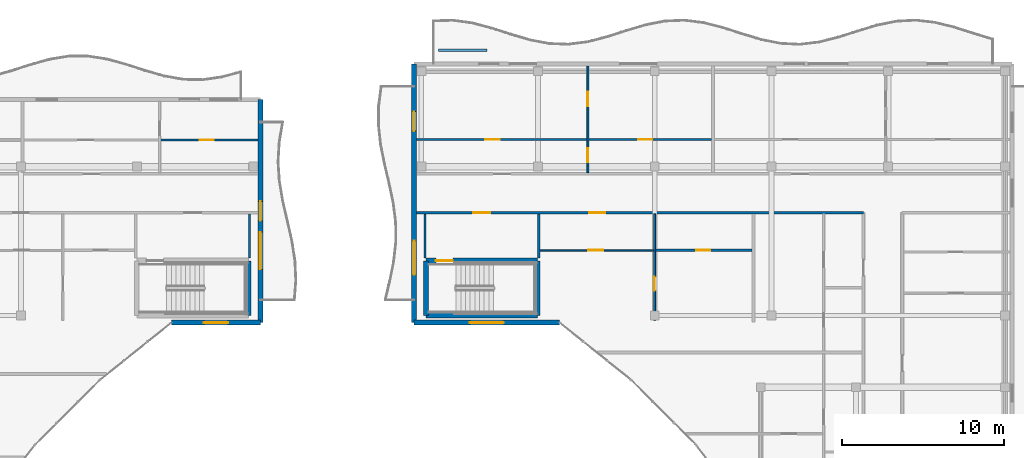
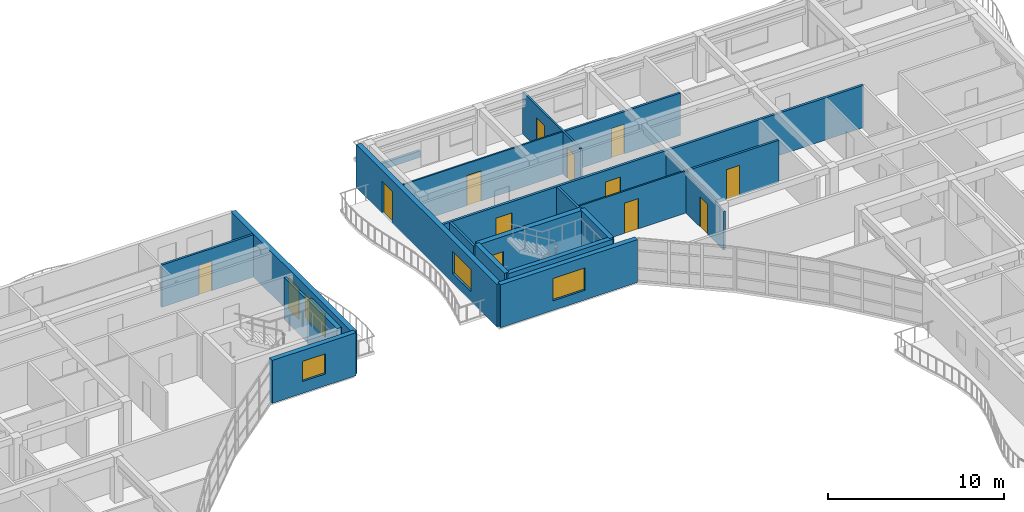
# One storey, part 32 of 49: 21 walls, 13 doors, 4 windows, 17 openings.
"""IFC4 building model written with IfcOpenShell, lengths in metres."""

from ifc_helpers import new_model, si_unit, direction, frame, frame_2d, origin, place, context, subcontext, project, spatial, rectangle, extrude, material, layer, layer_set, type_object, element, fill, save


model = new_model("IFC4")

# Units and contexts
model_context = context("Model", 3, precision=1e-05, world=origin(), true_north=direction((0.0, 1.0)))
body_context = subcontext(model_context, "Body", "Model", "MODEL_VIEW")
ifc_project = project(units=[si_unit("LENGTHUNIT", "METRE"), si_unit("AREAUNIT", "SQUARE_METRE"), si_unit("VOLUMEUNIT", "CUBIC_METRE"), si_unit("PLANEANGLEUNIT", "RADIAN"), si_unit("MASSUNIT", "GRAM", prefix="KILO")], contexts=[model_context])

# Site, building, storey
site_placement = place(None, origin())
site = spatial("IfcSite", under=ifc_project, at=site_placement, CompositionType="ELEMENT")
building_placement = place(site_placement, origin())
building = spatial("IfcBuilding", under=site, at=building_placement, Name="Keldmere Railside Commons", CompositionType="ELEMENT")
storey_placement = place(building_placement, frame((0.0, 0.0, 29.760009765625)))
storey = spatial("IfcBuildingStorey", under=building, at=storey_placement, Name="L09", CompositionType="ELEMENT", Elevation=29.760009765625)

# Wall, openings, doors
ifc_material_1 = material(Name="Acoustic Gypsum Board Partition", Category="gypsum")
ifc_layer_1 = layer(ifc_material_1, 0.1201171875, Name="Apartment Interior Partition 120")
ifc_layer_set_1 = layer_set([ifc_layer_1], Name="Acoustic Gypsum Board Partition")
wall_type_1 = type_object("IfcWallType", Name="Apartment Interior Partition 120", PredefinedType="PARTITIONING", material=ifc_layer_set_1)
wall_1_placement = place(storey_placement, frame((157.75, 109.280029296875, 0.0), z_axis=(0.0, 0.0, 1.0), x_axis=(0.0, 1.0, 0.0)))
wall_1 = element("IfcWall", 1, at=wall_1_placement, inside=storey, type_object=wall_type_1, Name="IW-4 IW-L09-1790", PredefinedType="PARTITIONING", context=body_context, shape_type="SweptSolid", body=[
    extrude(rectangle(XDim=6.590087890625, YDim=0.1201171875, at=frame_2d((3.294921875, 0.0))), origin(), (0.0, 0.0, 1.0), 2.93505859375),
])
opening_1_placement = place(wall_1_placement, frame((0.656005859375, 0.0, 0.0)))
opening_1 = element("IfcOpeningElement", 2, at=opening_1_placement, cuts=wall_1, Name="Opening ID-04", PredefinedType="OPENING", context=body_context, shape_type="SweptSolid", body=[
    extrude(rectangle(XDim=0.860107421875, YDim=2.10009765625, at=frame_2d((0.43017578125, 1.050048828125))), frame((0.0, 0.070068359375, 0.0), z_axis=(0.0, -1.0, 0.0), x_axis=(1.0, 0.0, 0.0)), (0.0, 0.0, 1.0), 0.14013671875),
])
opening_2_placement = place(wall_1_placement, frame((4.093017578125, 0.0, 0.0)))
opening_2 = element("IfcOpeningElement", 3, at=opening_2_placement, cuts=wall_1, Name="Opening ID-01", PredefinedType="OPENING", context=body_context, shape_type="SweptSolid", body=[
    extrude(rectangle(XDim=0.89990234375, YDim=2.10009765625, at=frame_2d((0.449951171875, 1.050048828125))), frame((0.0, 0.070068359375, 0.0), z_axis=(0.0, -1.0, 0.0), x_axis=(1.0, 0.0, 0.0)), (0.0, 0.0, 1.0), 0.14013671875),
])
ifc_material_2 = material(Name="Engineered Oak Timber", Category="wood")
door_type_1 = type_object("IfcDoorType", Name="Apartment Bathroom Door 860x2100", OperationType="NOTDEFINED", PredefinedType="DOOR", material=ifc_material_2)
door_1_placement = place(opening_1_placement, origin())
door_1 = element("IfcDoor", 4, at=door_1_placement, inside=storey, type_object=door_type_1, Name="ID-04 IDR-L09-1634", OperationType="SINGLE_SWING_RIGHT", OverallHeight=2.10009765625, OverallWidth=0.860107421875, PredefinedType="DOOR", context=body_context, shape_type="SweptSolid", body=[
    extrude(rectangle(XDim=0.860107421875, YDim=2.10009765625, at=frame_2d((0.43017578125, 1.050048828125))), frame((0.0, 0.02490234375, 0.0), z_axis=(0.0, -1.0, 0.0), x_axis=(1.0, 0.0, 0.0)), (0.0, 0.0, 1.0), 0.050048828125),
])
fill(opening_1, door_1)
door_type_2 = type_object("IfcDoorType", Name="Primary Bedroom Door 900x2100", OperationType="NOTDEFINED", PredefinedType="DOOR", material=ifc_material_2)
door_2_placement = place(opening_2_placement, origin())
door_2 = element("IfcDoor", 5, at=door_2_placement, inside=storey, type_object=door_type_2, Name="ID-01 IDR-L09-1635", OperationType="SINGLE_SWING_LEFT", OverallHeight=2.10009765625, OverallWidth=0.89990234375, PredefinedType="DOOR", context=body_context, shape_type="SweptSolid", body=[
    extrude(rectangle(XDim=0.89990234375, YDim=2.10009765625, at=frame_2d((0.449951171875, 1.050048828125))), frame((0.0, 0.02490234375, 0.0), z_axis=(0.0, -1.0, 0.0), x_axis=(1.0, 0.0, 0.0)), (0.0, 0.0, 1.0), 0.050048828125),
])
fill(opening_2, door_2)

# Wall, opening, door
wall_2_placement = place(storey_placement, frame((161.8798828125, 100.159912109375, 0.0), z_axis=(0.0, 0.0, 1.0), x_axis=(0.0, 1.0, 0.0)))
wall_2 = element("IfcWall", 6, at=wall_2_placement, inside=storey, type_object=wall_type_1, Name="IW-4 IW-L09-1796", PredefinedType="PARTITIONING", context=body_context, shape_type="SweptSolid", body=[
    extrude(rectangle(XDim=6.56005859375, YDim=0.1201171875, at=frame_2d((3.280029296875, 0.0))), origin(), (0.0, 0.0, 1.0), 2.679931640625),
])
opening_3_placement = place(wall_2_placement, frame((1.810302734375, 0.0, 0.0)))
opening_3 = element("IfcOpeningElement", 7, at=opening_3_placement, cuts=wall_2, Name="Opening ID-02", PredefinedType="OPENING", context=body_context, shape_type="SweptSolid", body=[
    extrude(rectangle(XDim=0.8798828125, YDim=2.10009765625, at=frame_2d((0.43994140625, 1.050048828125))), frame((0.0, 0.070068359375, 0.0), z_axis=(0.0, -1.0, 0.0), x_axis=(1.0, 0.0, 0.0)), (0.0, 0.0, 1.0), 0.14013671875),
])
door_type_3 = type_object("IfcDoorType", Name="Secondary Bedroom Door 880x2100", OperationType="NOTDEFINED", PredefinedType="DOOR", material=ifc_material_2)
door_3_placement = place(opening_3_placement, origin())
door_3 = element("IfcDoor", 8, at=door_3_placement, inside=storey, type_object=door_type_3, Name="ID-02 IDR-L09-1644", OperationType="SINGLE_SWING_RIGHT", OverallHeight=2.10009765625, OverallWidth=0.8798828125, PredefinedType="DOOR", context=body_context, shape_type="SweptSolid", body=[
    extrude(rectangle(XDim=0.8798828125, YDim=2.10009765625, at=frame_2d((0.43994140625, 1.050048828125))), frame((0.0, 0.02490234375, 0.0), z_axis=(0.0, -1.0, 0.0), x_axis=(1.0, 0.0, 0.0)), (0.0, 0.0, 1.0), 0.050048828125),
])
fill(opening_3, door_3)

# Wall
ifc_material_3 = material(Name="White Precast Concrete H-35 (C35/45)", Category="concrete")
ifc_layer_2 = layer(ifc_material_3, 0.169921875, Name="Balcony Planter Kerb Wall 170")
ifc_layer_set_2 = layer_set([ifc_layer_2], Name="White Precast Concrete H-35 (C35/45)")
wall_type_2 = type_object("IfcWallType", Name="Balcony Planter Kerb Wall 170", PredefinedType="PARAPET", material=ifc_layer_set_2)
wall_3_placement = place(storey_placement, frame((148.5, 116.85009765625, 0.0), z_axis=(0.0, 0.0, 1.0), x_axis=(1.0, 0.0, 0.0)))
element("IfcWall", 9, at=wall_3_placement, inside=storey, type_object=wall_type_2, Name="PW-2 PKBA-L09-0944", PredefinedType="PARAPET", context=body_context, shape_type="SweptSolid", body=[
    extrude(rectangle(XDim=3.0, YDim=0.169921875, at=frame_2d((1.5, 0.0))), origin(), (0.0, 0.0, 1.0), 0.449951171875),
])

# Wall, opening, door
ifc_layer_3 = layer(ifc_material_1, 0.10009765625, Name="Closet Light Partition 100")
ifc_layer_set_3 = layer_set([ifc_layer_3], Name="Acoustic Gypsum Board Partition")
wall_type_3 = type_object("IfcWallType", Name="Closet Light Partition 100", PredefinedType="PARTITIONING", material=ifc_layer_set_3)
wall_4_placement = place(storey_placement, frame((147.159912109375, 111.330078125, 0.0), z_axis=(0.0, 0.0, 1.0), x_axis=(1.0, 0.0, 0.0)))
wall_4 = element("IfcWall", 10, at=wall_4_placement, inside=storey, type_object=wall_type_3, Name="IW-6 IW-L09-1792", PredefinedType="PARTITIONING", context=body_context, shape_type="SweptSolid", body=[
    extrude(rectangle(XDim=10.530029296875, YDim=0.10009765625, at=frame_2d((5.26513671875, 0.0))), origin(), (0.0, 0.0, 1.0), 2.93505859375),
])
opening_4_placement = place(wall_4_placement, frame((4.236083984375, 0.0, 0.0)))
opening_4 = element("IfcOpeningElement", 11, at=opening_4_placement, cuts=wall_4, Name="Opening ID-03", PredefinedType="OPENING", context=body_context, shape_type="SweptSolid", body=[
    extrude(rectangle(XDim=0.919921875, YDim=2.10009765625, at=frame_2d((0.4599609375, 1.050048828125))), frame((0.0, 0.06005859375, 0.0), z_axis=(0.0, -1.0, 0.0), x_axis=(1.0, 0.0, 0.0)), (0.0, 0.0, 1.0), 0.1201171875),
])
door_type_4 = type_object("IfcDoorType", Name="Kitchen Pocket-Frame Swing Door 920x2100", OperationType="NOTDEFINED", PredefinedType="DOOR", material=ifc_material_2)
door_4_placement = place(opening_4_placement, origin())
door_4 = element("IfcDoor", 12, at=door_4_placement, inside=storey, type_object=door_type_4, Name="ID-03 IDR-L09-1633", OperationType="SINGLE_SWING_LEFT", OverallHeight=2.10009765625, OverallWidth=0.919921875, PredefinedType="DOOR", context=body_context, shape_type="SweptSolid", body=[
    extrude(rectangle(XDim=0.919921875, YDim=2.10009765625, at=frame_2d((0.4599609375, 1.050048828125))), frame((0.0, 0.02490234375, 0.0), z_axis=(0.0, -1.0, 0.0), x_axis=(1.0, 0.0, 0.0)), (0.0, 0.0, 1.0), 0.050048828125),
])
fill(opening_4, door_4)

wall_5_placement = place(storey_placement, frame((154.800048828125, 104.469970703125, 0.0), z_axis=(0.0, 0.0, 1.0), x_axis=(1.0, 0.0, 0.0)))
wall_5 = element("IfcWall", 13, at=wall_5_placement, inside=storey, type_object=wall_type_3, Name="IW-6 IW-L09-1798", PredefinedType="PARTITIONING", context=body_context, shape_type="SweptSolid", body=[
    extrude(rectangle(XDim=7.02001953125, YDim=0.10009765625, at=frame_2d((3.510009765625, 0.0))), origin(), (0.0, 0.0, 1.0), 2.93505859375),
])
opening_5_placement = place(wall_5_placement, frame((2.9736328125, 0.0, 0.0)))
opening_5 = element("IfcOpeningElement", 14, at=opening_5_placement, cuts=wall_5, Name="Opening ID-03", PredefinedType="OPENING", context=body_context, shape_type="SweptSolid", body=[
    extrude(rectangle(XDim=0.919921875, YDim=2.10009765625, at=frame_2d((0.4599609375, 1.050048828125))), frame((0.0, 0.06005859375, 0.0), z_axis=(0.0, -1.0, 0.0), x_axis=(1.0, 0.0, 0.0)), (0.0, 0.0, 1.0), 0.1201171875),
])
door_5_placement = place(opening_5_placement, origin())
door_5 = element("IfcDoor", 15, at=door_5_placement, inside=storey, type_object=door_type_4, Name="ID-03 IDR-L09-1643", OperationType="SINGLE_SWING_LEFT", OverallHeight=2.10009765625, OverallWidth=0.919921875, PredefinedType="DOOR", context=body_context, shape_type="SweptSolid", body=[
    extrude(rectangle(XDim=0.919921875, YDim=2.10009765625, at=frame_2d((0.4599609375, 1.050048828125))), frame((0.0, 0.02490234375, 0.0), z_axis=(0.0, -1.0, 0.0), x_axis=(1.0, 0.0, 0.0)), (0.0, 0.0, 1.0), 0.050048828125),
])
fill(opening_5, door_5)

# Wall, openings, doors
ifc_layer_4 = layer(ifc_material_1, 0.159912109375, Name="Corridor Fire Partition 160")
ifc_layer_set_4 = layer_set([ifc_layer_4], Name="Acoustic Gypsum Board Partition")
wall_type_4 = type_object("IfcWallType", Name="Corridor Fire Partition 160", PredefinedType="PARTITIONING", material=ifc_layer_set_4)
wall_6_placement = place(storey_placement, frame((147.159912109375, 106.800048828125, 0.0), z_axis=(0.0, 0.0, 1.0), x_axis=(1.0, 0.0, 0.0)))
wall_6 = element("IfcWall", 16, at=wall_6_placement, inside=storey, type_object=wall_type_4, Name="IW-2 IW-L09-1771", PredefinedType="PARTITIONING", context=body_context, shape_type="SweptSolid", body=[
    extrude(rectangle(XDim=27.64013671875, YDim=0.159912109375, at=frame_2d((13.820068359375, 0.0))), origin(), (0.0, 0.0, 1.0), 2.93505859375),
])
opening_6_placement = place(wall_6_placement, frame((3.514892578125, 0.0, 0.0)))
opening_6 = element("IfcOpeningElement", 17, at=opening_6_placement, cuts=wall_6, Name="Opening FD-1", PredefinedType="OPENING", context=body_context, shape_type="SweptSolid", body=[
    extrude(rectangle(XDim=1.050048828125, YDim=2.14990234375, at=frame_2d((0.52490234375, 1.074951171875))), frame((0.0, 0.08984375, 0.0), z_axis=(0.0, -1.0, 0.0), x_axis=(1.0, 0.0, 0.0)), (0.0, 0.0, 1.0), 0.179931640625),
])
opening_7_placement = place(wall_6_placement, frame((10.68994140625, 0.0, 0.0)))
opening_7 = element("IfcOpeningElement", 18, at=opening_7_placement, cuts=wall_6, Name="Opening FD-7", PredefinedType="OPENING", context=body_context, shape_type="SweptSolid", body=[
    extrude(rectangle(XDim=0.97998046875, YDim=2.14990234375, at=frame_2d((0.489990234375, 1.074951171875))), frame((0.0, 0.08984375, 0.0), z_axis=(0.0, -1.0, 0.0), x_axis=(1.0, 0.0, 0.0)), (0.0, 0.0, 1.0), 0.179931640625),
])
door_type_5 = type_object("IfcDoorType", Name="Apartment Entrance Acoustic Fire Door 980x2150", OperationType="NOTDEFINED", PredefinedType="DOOR", material=ifc_material_2)
door_6_placement = place(opening_7_placement, origin())
door_6 = element("IfcDoor", 19, at=door_6_placement, inside=storey, type_object=door_type_5, Name="FD-7 IDR-L09-1642", OperationType="SINGLE_SWING_RIGHT", OverallHeight=2.14990234375, OverallWidth=0.97998046875, PredefinedType="DOOR", context=body_context, shape_type="SweptSolid", body=[
    extrude(rectangle(XDim=0.97998046875, YDim=2.14990234375, at=frame_2d((0.489990234375, 1.074951171875))), frame((0.0, 0.02490234375, 0.0), z_axis=(0.0, -1.0, 0.0), x_axis=(1.0, 0.0, 0.0)), (0.0, 0.0, 1.0), 0.050048828125),
])
fill(opening_7, door_6)
ifc_material_4 = material(Name="Steel F-24 (S235)", Category="steel")
door_type_6 = type_object("IfcDoorType", Name="Stair Core Fire Door 1050x2150", OperationType="NOTDEFINED", PredefinedType="DOOR", material=ifc_material_4)
door_7_placement = place(opening_6_placement, origin())
door_7 = element("IfcDoor", 20, at=door_7_placement, inside=storey, type_object=door_type_6, Name="FD-1 IDR-L09-1616", OperationType="SINGLE_SWING_RIGHT", OverallHeight=2.14990234375, OverallWidth=1.050048828125, PredefinedType="DOOR", context=body_context, shape_type="SweptSolid", body=[
    extrude(rectangle(XDim=1.050048828125, YDim=2.14990234375, at=frame_2d((0.52490234375, 1.074951171875))), frame((0.0, 0.02490234375, 0.0), z_axis=(0.0, -1.0, 0.0), x_axis=(1.0, 0.0, 0.0)), (0.0, 0.0, 1.0), 0.050048828125),
])
fill(opening_6, door_7)

# Wall, opening, window
ifc_material_5 = material(Name="Concrete H-35 (C35/45)", Category="concrete")
ifc_layer_5 = layer(ifc_material_5, 0.320068359375, Name="Exterior Shear Wall 320")
ifc_layer_set_5 = layer_set([ifc_layer_5], Name="Concrete H-35 (C35/45)")
wall_type_5 = type_object("IfcWallType", Name="Exterior Shear Wall 320", PredefinedType="SHEAR", material=ifc_layer_set_5)
wall_7_placement = place(storey_placement, frame((137.5, 100.0, 0.0), z_axis=(0.0, 0.0, 1.0), x_axis=(-1.0, 0.0, 0.0)))
wall_7 = element("IfcWall", 21, at=wall_7_placement, inside=storey, type_object=wall_type_5, Name="ESW-2 EXTB-L09-0657", PredefinedType="SHEAR", context=body_context, shape_type="SweptSolid", body=[
    extrude(rectangle(XDim=5.5, YDim=0.320068359375, at=frame_2d((2.75, 0.0))), origin(), (0.0, 0.0, 1.0), 2.97998046875),
])
opening_8_placement = place(wall_7_placement, frame((2.0, 0.0, 0.820068359375)))
opening_8 = element("IfcOpeningElement", 22, at=opening_8_placement, cuts=wall_7, Name="Opening WN-06", PredefinedType="OPENING", context=body_context, shape_type="SweptSolid", body=[
    extrude(rectangle(XDim=1.5, YDim=1.39990234375, at=frame_2d((0.75, 0.699951171875))), frame((0.0, 0.169921875, 0.0), z_axis=(0.0, -1.0, 0.0), x_axis=(1.0, 0.0, 0.0)), (0.0, 0.0, 1.0), 0.340087890625),
])
ifc_material_6 = material(Name="Low-E Insulated Double Glazing", Category="glass")
window_type_1 = type_object("IfcWindowType", Name="Primary Bedroom North Window 1500x1400", PartitioningType="SINGLE_PANEL", PredefinedType="WINDOW", material=ifc_material_6)
window_1_placement = place(opening_8_placement, origin())
window_1 = element("IfcWindow", 23, at=window_1_placement, inside=storey, type_object=window_type_1, Name="WN-06 WIN-L09-0513", OverallHeight=1.39990234375, OverallWidth=1.5, PartitioningType="SINGLE_PANEL", PredefinedType="WINDOW", context=body_context, shape_type="SweptSolid", body=[
    extrude(rectangle(XDim=1.5, YDim=1.39990234375, at=frame_2d((0.75, 0.699951171875))), frame((0.0, 0.030029296875, 0.0), z_axis=(0.0, -1.0, 0.0), x_axis=(1.0, 0.0, 0.0)), (0.0, 0.0, 1.0), 0.06005859375),
])
fill(opening_8, window_1)

# Wall, openings, door, window
wall_8_placement = place(storey_placement, frame((137.5, 113.800048828125, 0.0), z_axis=(0.0, 0.0, 1.0), x_axis=(0.0, -1.0, 0.0)))
wall_8 = element("IfcWall", 24, at=wall_8_placement, inside=storey, type_object=wall_type_5, Name="ESW-2 EXTB-L09-0658", PredefinedType="SHEAR", context=body_context, shape_type="SweptSolid", body=[
    extrude(rectangle(XDim=13.800048828125, YDim=0.320068359375, at=frame_2d((6.89990234375, 0.0))), origin(), (0.0, 0.0, 1.0), 2.97998046875),
])
opening_9_placement = place(wall_8_placement, frame((6.300048828125, 0.0, 0.0)))
opening_9 = element("IfcOpeningElement", 25, at=opening_9_placement, cuts=wall_8, Name="Opening BD-01", PredefinedType="OPENING", context=body_context, shape_type="SweptSolid", body=[
    extrude(rectangle(XDim=1.199951171875, YDim=2.199951171875, at=frame_2d((0.60009765625, 1.10009765625))), frame((0.0, 0.169921875, 0.0), z_axis=(0.0, -1.0, 0.0), x_axis=(1.0, 0.0, 0.0)), (0.0, 0.0, 1.0), 0.340087890625),
])
opening_10_placement = place(wall_8_placement, frame((8.199951171875, 0.0, 0.570068359375)))
opening_10 = element("IfcOpeningElement", 26, at=opening_10_placement, cuts=wall_8, Name="Opening WN-23", PredefinedType="OPENING", context=body_context, shape_type="SweptSolid", body=[
    extrude(rectangle(XDim=2.300048828125, YDim=1.64990234375, at=frame_2d((1.14990234375, 0.824951171875))), frame((0.0, 0.169921875, 0.0), z_axis=(0.0, -1.0, 0.0), x_axis=(1.0, 0.0, 0.0)), (0.0, 0.0, 1.0), 0.340087890625),
])
ifc_material_7 = material(Name="Thermally Broken Aluminium", Category="aluminium")
door_type_7 = type_object("IfcDoorType", Name="Apartment Living Wave-Balcony Glazed Door 1200x2200", OperationType="NOTDEFINED", PredefinedType="DOOR", material=ifc_material_7)
door_8_placement = place(opening_9_placement, origin())
door_8 = element("IfcDoor", 27, at=door_8_placement, inside=storey, type_object=door_type_7, Name="BD-01 DR-L09-0192", OperationType="SINGLE_SWING_RIGHT", OverallHeight=2.199951171875, OverallWidth=1.199951171875, PredefinedType="DOOR", context=body_context, shape_type="SweptSolid", body=[
    extrude(rectangle(XDim=1.199951171875, YDim=2.199951171875, at=frame_2d((0.60009765625, 1.10009765625))), frame((0.0, 0.02490234375, 0.0), z_axis=(0.0, -1.0, 0.0), x_axis=(1.0, 0.0, 0.0)), (0.0, 0.0, 1.0), 0.050048828125),
])
fill(opening_9, door_8)
window_type_2 = type_object("IfcWindowType", Name="Setback Terrace Penthouse Window 2300x1650", PartitioningType="SINGLE_PANEL", PredefinedType="WINDOW", material=ifc_material_6)
window_2_placement = place(opening_10_placement, origin())
window_2 = element("IfcWindow", 28, at=window_2_placement, inside=storey, type_object=window_type_2, Name="WN-23 WIN-L09-0514", OverallHeight=1.64990234375, OverallWidth=2.300048828125, PartitioningType="SINGLE_PANEL", PredefinedType="WINDOW", context=body_context, shape_type="SweptSolid", body=[
    extrude(rectangle(XDim=2.300048828125, YDim=1.64990234375, at=frame_2d((1.14990234375, 0.824951171875))), frame((0.0, 0.030029296875, 0.0), z_axis=(0.0, -1.0, 0.0), x_axis=(1.0, 0.0, 0.0)), (0.0, 0.0, 1.0), 0.06005859375),
])
fill(opening_10, window_2)

wall_9_placement = place(storey_placement, frame((147.0, 100.0, 0.0), z_axis=(0.0, 0.0, 1.0), x_axis=(0.0, 1.0, 0.0)))
wall_9 = element("IfcWall", 29, at=wall_9_placement, inside=storey, type_object=wall_type_5, Name="ESW-2 EXTA-L09-0941", PredefinedType="SHEAR", context=body_context, shape_type="SweptSolid", body=[
    extrude(rectangle(XDim=16.0, YDim=0.320068359375, at=frame_2d((8.0, 0.0))), origin(), (0.0, 0.0, 1.0), 2.97998046875),
])
opening_11_placement = place(wall_9_placement, frame((2.949951171875, 0.0, 0.669921875)))
opening_11 = element("IfcOpeningElement", 30, at=opening_11_placement, cuts=wall_9, Name="Opening WN-11", PredefinedType="OPENING", context=body_context, shape_type="SweptSolid", body=[
    extrude(rectangle(XDim=2.10009765625, YDim=1.550048828125, at=frame_2d((1.050048828125, 0.77490234375))), frame((0.0, 0.169921875, 0.0), z_axis=(0.0, -1.0, 0.0), x_axis=(1.0, 0.0, 0.0)), (0.0, 0.0, 1.0), 0.340087890625),
])
opening_12_placement = place(wall_9_placement, frame((11.85009765625, 0.0, 0.0)))
opening_12 = element("IfcOpeningElement", 31, at=opening_12_placement, cuts=wall_9, Name="Opening BD-01", PredefinedType="OPENING", context=body_context, shape_type="SweptSolid", body=[
    extrude(rectangle(XDim=1.199951171875, YDim=2.199951171875, at=frame_2d((0.60009765625, 1.10009765625))), frame((0.0, 0.169921875, 0.0), z_axis=(0.0, -1.0, 0.0), x_axis=(1.0, 0.0, 0.0)), (0.0, 0.0, 1.0), 0.340087890625),
])
door_9_placement = place(opening_12_placement, origin())
door_9 = element("IfcDoor", 32, at=door_9_placement, inside=storey, type_object=door_type_7, Name="BD-01 DR-L09-0272", OperationType="SINGLE_SWING_RIGHT", OverallHeight=2.199951171875, OverallWidth=1.199951171875, PredefinedType="DOOR", context=body_context, shape_type="SweptSolid", body=[
    extrude(rectangle(XDim=1.199951171875, YDim=2.199951171875, at=frame_2d((0.60009765625, 1.10009765625))), frame((0.0, 0.02490234375, 0.0), z_axis=(0.0, -1.0, 0.0), x_axis=(1.0, 0.0, 0.0)), (0.0, 0.0, 1.0), 0.050048828125),
])
fill(opening_12, door_9)
window_type_3 = type_object("IfcWindowType", Name="Studio Wide Casement Window 2100x1550", PartitioningType="SINGLE_PANEL", PredefinedType="WINDOW", material=ifc_material_6)
window_3_placement = place(opening_11_placement, origin())
window_3 = element("IfcWindow", 33, at=window_3_placement, inside=storey, type_object=window_type_3, Name="WN-11 WIN-L09-0751", OverallHeight=1.550048828125, OverallWidth=2.10009765625, PartitioningType="SINGLE_PANEL", PredefinedType="WINDOW", context=body_context, shape_type="SweptSolid", body=[
    extrude(rectangle(XDim=2.10009765625, YDim=1.550048828125, at=frame_2d((1.050048828125, 0.77490234375))), frame((0.0, 0.030029296875, 0.0), z_axis=(0.0, -1.0, 0.0), x_axis=(1.0, 0.0, 0.0)), (0.0, 0.0, 1.0), 0.06005859375),
])
fill(opening_11, window_3)

# Wall, opening, window
wall_10_placement = place(storey_placement, frame((156.0, 100.0, 0.0), z_axis=(0.0, 0.0, 1.0), x_axis=(-1.0, 0.0, 0.0)))
wall_10 = element("IfcWall", 34, at=wall_10_placement, inside=storey, type_object=wall_type_5, Name="ESW-2 EXTA-L09-0942", PredefinedType="SHEAR", context=body_context, shape_type="SweptSolid", body=[
    extrude(rectangle(XDim=9.0, YDim=0.320068359375, at=frame_2d((4.5, 0.0))), origin(), (0.0, 0.0, 1.0), 2.97998046875),
])
opening_13_placement = place(wall_10_placement, frame((3.449951171875, 0.0, 0.669921875)))
opening_13 = element("IfcOpeningElement", 35, at=opening_13_placement, cuts=wall_10, Name="Opening WN-11", PredefinedType="OPENING", context=body_context, shape_type="SweptSolid", body=[
    extrude(rectangle(XDim=2.10009765625, YDim=1.550048828125, at=frame_2d((1.050048828125, 0.77490234375))), frame((0.0, 0.169921875, 0.0), z_axis=(0.0, -1.0, 0.0), x_axis=(1.0, 0.0, 0.0)), (0.0, 0.0, 1.0), 0.340087890625),
])
window_4_placement = place(opening_13_placement, origin())
window_4 = element("IfcWindow", 36, at=window_4_placement, inside=storey, type_object=window_type_3, Name="WN-11 WIN-L09-0752", OverallHeight=1.550048828125, OverallWidth=2.10009765625, PartitioningType="SINGLE_PANEL", PredefinedType="WINDOW", context=body_context, shape_type="SweptSolid", body=[
    extrude(rectangle(XDim=2.10009765625, YDim=1.550048828125, at=frame_2d((1.050048828125, 0.77490234375))), frame((0.0, 0.030029296875, 0.0), z_axis=(0.0, -1.0, 0.0), x_axis=(1.0, 0.0, 0.0)), (0.0, 0.0, 1.0), 0.06005859375),
])
fill(opening_13, window_4)

# Walls
ifc_layer_6 = layer(ifc_material_5, 0.300048828125, Name="Interior Shear Wall 300")
ifc_layer_set_6 = layer_set([ifc_layer_6], Name="Concrete H-35 (C35/45)")
wall_type_6 = type_object("IfcWallType", Name="Interior Shear Wall 300", PredefinedType="SHEAR", material=ifc_layer_set_6)
wall_11_placement = place(storey_placement, frame((136.75, 100.449951171875, 0.0), z_axis=(0.0, 0.0, 1.0), x_axis=(0.0, 1.0, 0.0)))
element("IfcWall", 37, at=wall_11_placement, inside=storey, type_object=wall_type_6, Name="ISW-2 COREB2E-L09-0551", PredefinedType="SHEAR", context=body_context, shape_type="SweptSolid", body=[
    extrude(rectangle(XDim=3.3701171875, YDim=0.300048828125, at=frame_2d((1.68505859375, 0.0))), origin(), (0.0, 0.0, 1.0), 3.199951171875),
])
wall_12_placement = place(storey_placement, frame((147.75, 100.449951171875, 0.0), z_axis=(0.0, 0.0, 1.0), x_axis=(1.0, 0.0, 0.0)))
element("IfcWall", 38, at=wall_12_placement, inside=storey, type_object=wall_type_6, Name="ISW-2 COREA2S-L09-0824", PredefinedType="SHEAR", context=body_context, shape_type="SweptSolid", body=[
    extrude(rectangle(XDim=6.89990234375, YDim=0.300048828125, at=frame_2d((3.449951171875, 0.0))), origin(), (0.0, 0.0, 1.0), 3.199951171875),
])
for number, where, z_axis, x_axis, name in (
    (39, (147.75, 103.820068359375, 0.0), (0.0, 0.0, 1.0), (0.0, -1.0, 0.0), "ISW-2 COREA2W-L09-0826"),
    (40, (154.64990234375, 100.449951171875, 0.0), (0.0, 0.0, 1.0), (0.0, 1.0, 0.0), "ISW-2 COREA2E-L09-0827"),
):
    element("IfcWall", number, at=place(storey_placement, frame(where, z_axis=z_axis, x_axis=x_axis)), inside=storey, type_object=wall_type_6, Name=name, PredefinedType="SHEAR", context=body_context, shape_type="SweptSolid", body=[
        extrude(rectangle(XDim=3.3701171875, YDim=0.300048828125, at=frame_2d((1.68505859375, 0.0))), origin(), (0.0, 0.0, 1.0), 3.199951171875),
    ])

# Wall, opening, door
ifc_layer_7 = layer(ifc_material_5, 0.340087890625, Name="Interior Shear Wall 340")
ifc_layer_set_7 = layer_set([ifc_layer_7], Name="Concrete H-35 (C35/45)")
wall_type_7 = type_object("IfcWallType", Name="Interior Shear Wall 340", PredefinedType="SHEAR", material=ifc_layer_set_7)
wall_13_placement = place(storey_placement, frame((154.64990234375, 103.820068359375, 0.0), z_axis=(0.0, 0.0, 1.0), x_axis=(-1.0, 0.0, 0.0)))
wall_13 = element("IfcWall", 41, at=wall_13_placement, inside=storey, type_object=wall_type_7, Name="ISW-1 COREA2N-L09-0825", PredefinedType="SHEAR", context=body_context, shape_type="SweptSolid", body=[
    extrude(rectangle(XDim=6.89990234375, YDim=0.340087890625, at=frame_2d((3.449951171875, 0.0))), origin(), (0.0, 0.0, 1.0), 3.199951171875),
])
opening_14_placement = place(wall_13_placement, frame((5.25, 0.0, 0.0)))
opening_14 = element("IfcOpeningElement", 42, at=opening_14_placement, cuts=wall_13, Name="Opening FD-1", PredefinedType="OPENING", context=body_context, shape_type="SweptSolid", body=[
    extrude(rectangle(XDim=1.050048828125, YDim=2.14990234375, at=frame_2d((0.52490234375, 1.074951171875))), frame((0.0, 0.179931640625, 0.0), z_axis=(0.0, -1.0, 0.0), x_axis=(1.0, 0.0, 0.0)), (0.0, 0.0, 1.0), 0.360107421875),
])
door_10_placement = place(opening_14_placement, origin())
door_10 = element("IfcDoor", 43, at=door_10_placement, inside=storey, type_object=door_type_6, Name="FD-1 A2 L09", OperationType="SINGLE_SWING_RIGHT", OverallHeight=2.14990234375, OverallWidth=1.050048828125, PredefinedType="DOOR", context=body_context, shape_type="SweptSolid", body=[
    extrude(rectangle(XDim=1.050048828125, YDim=2.14990234375, at=frame_2d((0.52490234375, 1.074951171875))), frame((0.0, 0.02490234375, 0.0), z_axis=(0.0, -1.0, 0.0), x_axis=(1.0, 0.0, 0.0)), (0.0, 0.0, 1.0), 0.050048828125),
])
fill(opening_14, door_10)

# Walls
ifc_layer_8 = layer(ifc_material_1, 0.14990234375, Name="Lobby Rated Partition 150")
ifc_layer_set_8 = layer_set([ifc_layer_8], Name="Acoustic Gypsum Board Partition")
wall_type_8 = type_object("IfcWallType", Name="Lobby Rated Partition 150", PredefinedType="PARTITIONING", material=ifc_layer_set_8)
for number, where, z_axis, x_axis, name in (
    (44, (136.820068359375, 103.989990234375, 0.0), (0.0, 0.0, 1.0), (0.0, 1.0, 0.0), "IW-3 IW-L09-1280"),
    (45, (147.679931640625, 103.989990234375, 0.0), (0.0, 0.0, 1.0), (0.0, 1.0, 0.0), "IW-3 IW-L09-1775"),
    (46, (154.719970703125, 103.989990234375, 0.0), (0.0, 0.0, 1.0), (0.0, 1.0, 0.0), "IW-3 IW-L09-1776"),
):
    element("IfcWall", number, at=place(storey_placement, frame(where, z_axis=z_axis, x_axis=x_axis)), inside=storey, type_object=wall_type_8, Name=name, PredefinedType="PARTITIONING", context=body_context, shape_type="SweptSolid", body=[
        extrude(rectangle(XDim=2.72998046875, YDim=0.14990234375, at=frame_2d((1.364990234375, 0.0))), origin(), (0.0, 0.0, 1.0), 2.93505859375),
    ])

# Wall, opening, door
ifc_layer_9 = layer(ifc_material_1, 0.139892578125, Name="Wet-Room Sanitary Partition 140")
ifc_layer_set_9 = layer_set([ifc_layer_9], Name="Acoustic Gypsum Board Partition")
wall_type_9 = type_object("IfcWallType", Name="Wet-Room Sanitary Partition 140", PredefinedType="PARTITIONING", material=ifc_layer_set_9)
wall_14_placement = place(storey_placement, frame((131.320068359375, 111.300048828125, 0.0), z_axis=(0.0, 0.0, 1.0), x_axis=(1.0, 0.0, 0.0)))
wall_14 = element("IfcWall", 47, at=wall_14_placement, inside=storey, type_object=wall_type_9, Name="IW-5 IW-L09-1306", PredefinedType="PARTITIONING", context=body_context, shape_type="SweptSolid", body=[
    extrude(rectangle(XDim=6.02001953125, YDim=0.139892578125, at=frame_2d((3.010009765625, 0.0))), origin(), (0.0, 0.0, 1.0), 2.93505859375),
])
opening_15_placement = place(wall_14_placement, frame((2.431884765625, 0.0, 0.0)))
opening_15 = element("IfcOpeningElement", 48, at=opening_15_placement, cuts=wall_14, Name="Opening ID-06", PredefinedType="OPENING", context=body_context, shape_type="SweptSolid", body=[
    extrude(rectangle(XDim=0.85009765625, YDim=2.050048828125, at=frame_2d((0.425048828125, 1.02490234375))), frame((0.0, 0.079833984375, 0.0), z_axis=(0.0, -1.0, 0.0), x_axis=(1.0, 0.0, 0.0)), (0.0, 0.0, 1.0), 0.159912109375),
])
door_type_8 = type_object("IfcDoorType", Name="Storage Closet Door 850x2050", OperationType="NOTDEFINED", PredefinedType="DOOR", material=ifc_material_2)
door_11_placement = place(opening_15_placement, origin())
door_11 = element("IfcDoor", 49, at=door_11_placement, inside=storey, type_object=door_type_8, Name="ID-06 IDR-L09-1167", OperationType="SINGLE_SWING_LEFT", OverallHeight=2.050048828125, OverallWidth=0.85009765625, PredefinedType="DOOR", context=body_context, shape_type="SweptSolid", body=[
    extrude(rectangle(XDim=0.85009765625, YDim=2.050048828125, at=frame_2d((0.425048828125, 1.02490234375))), frame((0.0, 0.02490234375, 0.0), z_axis=(0.0, -1.0, 0.0), x_axis=(1.0, 0.0, 0.0)), (0.0, 0.0, 1.0), 0.050048828125),
])
fill(opening_15, door_11)

wall_15_placement = place(storey_placement, frame((157.81005859375, 111.330078125, 0.0), z_axis=(0.0, 0.0, 1.0), x_axis=(1.0, 0.0, 0.0)))
wall_15 = element("IfcWall", 50, at=wall_15_placement, inside=storey, type_object=wall_type_9, Name="IW-5 IW-L09-1791", PredefinedType="PARTITIONING", context=body_context, shape_type="SweptSolid", body=[
    extrude(rectangle(XDim=7.599853515625, YDim=0.139892578125, at=frame_2d((3.7998046875, 0.0))), origin(), (0.0, 0.0, 1.0), 2.93505859375),
])
opening_16_placement = place(wall_15_placement, frame((3.06396484375, 0.0, 0.0)))
opening_16 = element("IfcOpeningElement", 51, at=opening_16_placement, cuts=wall_15, Name="Opening ID-06", PredefinedType="OPENING", context=body_context, shape_type="SweptSolid", body=[
    extrude(rectangle(XDim=0.85009765625, YDim=2.050048828125, at=frame_2d((0.425048828125, 1.02490234375))), frame((0.0, 0.079833984375, 0.0), z_axis=(0.0, -1.0, 0.0), x_axis=(1.0, 0.0, 0.0)), (0.0, 0.0, 1.0), 0.159912109375),
])
door_12_placement = place(opening_16_placement, origin())
door_12 = element("IfcDoor", 52, at=door_12_placement, inside=storey, type_object=door_type_8, Name="ID-06 IDR-L09-1636", OperationType="SINGLE_SWING_RIGHT", OverallHeight=2.050048828125, OverallWidth=0.85009765625, PredefinedType="DOOR", context=body_context, shape_type="SweptSolid", body=[
    extrude(rectangle(XDim=0.85009765625, YDim=2.050048828125, at=frame_2d((0.425048828125, 1.02490234375))), frame((0.0, 0.02490234375, 0.0), z_axis=(0.0, -1.0, 0.0), x_axis=(1.0, 0.0, 0.0)), (0.0, 0.0, 1.0), 0.050048828125),
])
fill(opening_16, door_12)

wall_16_placement = place(storey_placement, frame((161.93994140625, 104.469970703125, 0.0), z_axis=(0.0, 0.0, 1.0), x_axis=(1.0, 0.0, 0.0)))
wall_16 = element("IfcWall", 53, at=wall_16_placement, inside=storey, type_object=wall_type_9, Name="IW-5 IW-L09-1797", PredefinedType="PARTITIONING", context=body_context, shape_type="SweptSolid", body=[
    extrude(rectangle(XDim=5.969970703125, YDim=0.139892578125, at=frame_2d((2.98486328125, 0.0))), origin(), (0.0, 0.0, 1.0), 2.93505859375),
])
opening_17_placement = place(wall_16_placement, frame((2.53271484375, 0.0, 0.0)))
opening_17 = element("IfcOpeningElement", 54, at=opening_17_placement, cuts=wall_16, Name="Opening ID-04", PredefinedType="OPENING", context=body_context, shape_type="SweptSolid", body=[
    extrude(rectangle(XDim=0.860107421875, YDim=2.10009765625, at=frame_2d((0.43017578125, 1.050048828125))), frame((0.0, 0.079833984375, 0.0), z_axis=(0.0, -1.0, 0.0), x_axis=(1.0, 0.0, 0.0)), (0.0, 0.0, 1.0), 0.159912109375),
])
door_13_placement = place(opening_17_placement, origin())
door_13 = element("IfcDoor", 55, at=door_13_placement, inside=storey, type_object=door_type_1, Name="ID-04 IDR-L09-1645", OperationType="SINGLE_SWING_LEFT", OverallHeight=2.10009765625, OverallWidth=0.860107421875, PredefinedType="DOOR", context=body_context, shape_type="SweptSolid", body=[
    extrude(rectangle(XDim=0.860107421875, YDim=2.10009765625, at=frame_2d((0.43017578125, 1.050048828125))), frame((0.0, 0.02490234375, 0.0), z_axis=(0.0, -1.0, 0.0), x_axis=(1.0, 0.0, 0.0)), (0.0, 0.0, 1.0), 0.050048828125),
])
fill(opening_17, door_13)

save(model, "model.ifc")
